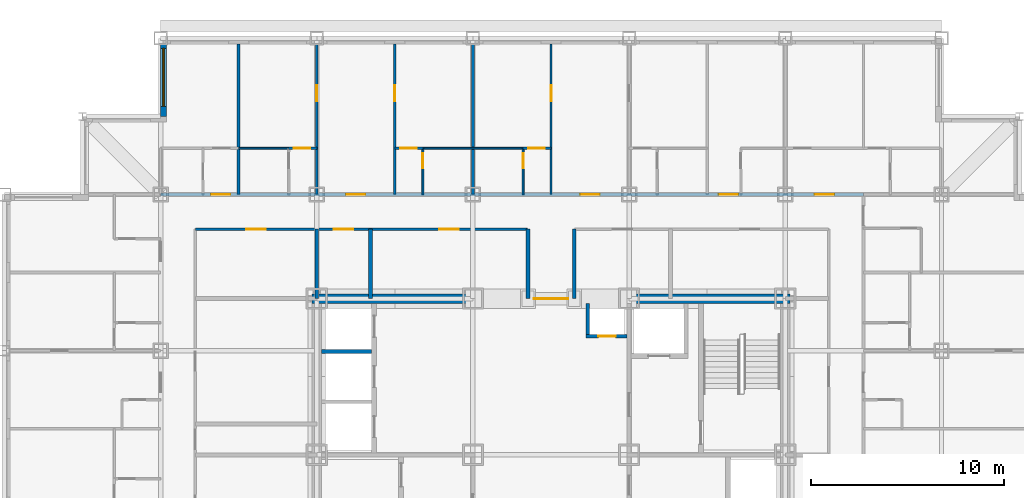
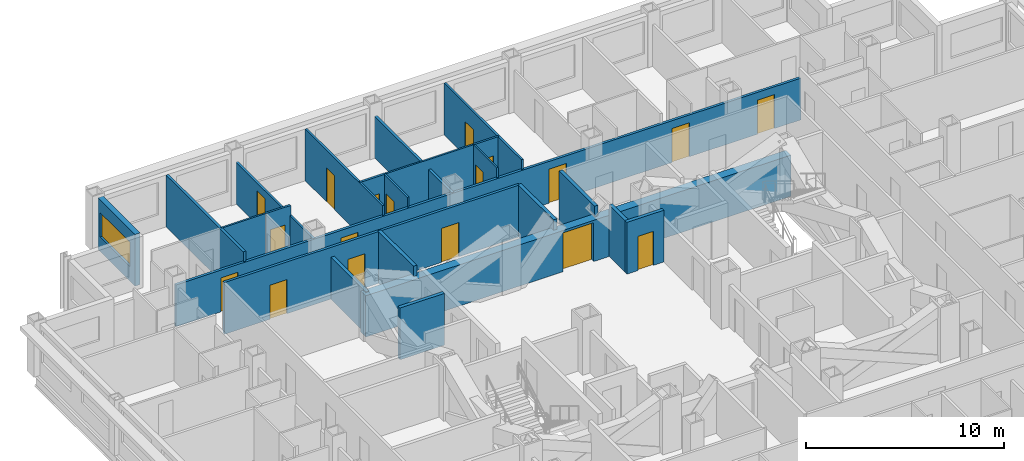
# One storey, part 10 of 14: 23 walls, 18 doors, 1 window, 19 openings.
"""IFC4 building model written with IfcOpenShell, lengths in metres."""

from ifc_helpers import new_model, si_unit, direction, frame, frame_2d, origin, place, context, subcontext, project, spatial, rectangle, extrude, material, layer, layer_set, type_object, element, fill, save


model = new_model("IFC4")

# Units and contexts
model_context = context("Model", 3, precision=1e-05, world=origin(), true_north=direction((0.0, 1.0)))
body_context = subcontext(model_context, "Body", "Model", "MODEL_VIEW")
ifc_project = project(units=[si_unit("LENGTHUNIT", "METRE"), si_unit("AREAUNIT", "SQUARE_METRE"), si_unit("VOLUMEUNIT", "CUBIC_METRE"), si_unit("PLANEANGLEUNIT", "RADIAN"), si_unit("MASSUNIT", "GRAM", prefix="KILO")], contexts=[model_context])

# Site, building, storey
site_placement = place(None, origin())
site = spatial("IfcSite", under=ifc_project, at=site_placement, CompositionType="ELEMENT")
building_placement = place(site_placement, origin())
building = spatial("IfcBuilding", under=site, at=building_placement, Name="Kopane Lantern Tower", CompositionType="ELEMENT")
storey_placement = place(building_placement, frame((0.0, 0.0, 137.39990234375)))
storey = spatial("IfcBuildingStorey", under=building, at=storey_placement, Name="L35", CompositionType="ELEMENT", Elevation=137.39990234375)

# Wall, opening, door
ifc_material_1 = material(Name="Gypsum board on steel studs", Category="steel")
ifc_layer_1 = layer(ifc_material_1, 0.1201171875)
ifc_layer_set_1 = layer_set([ifc_layer_1], Name="APARTMENT INTERNAL WALL 120")
wall_type_1 = type_object("IfcWallType", Name="APARTMENT INTERNAL WALL 120", PredefinedType="PARTITIONING", material=ifc_layer_set_1)
wall_1_placement = place(storey_placement, frame((16.199951171875, 45.89990234375, 0.0), z_axis=(0.0, 0.0, 1.0), x_axis=(0.0, 1.0, 0.0)))
wall_1 = element("IfcWall", 1, at=wall_1_placement, inside=storey, type_object=wall_type_1, Name="Apartment Internal Wall 120 L35", PredefinedType="PARTITIONING", context=body_context, shape_type="SweptSolid", body=[
    extrude(rectangle(XDim=7.800048828125, YDim=0.1201171875, at=frame_2d((3.89990234375, 0.0))), origin(), (0.0, 0.0, 1.0), 2.577880859375),
])
opening_1_placement = place(wall_1_placement, frame((4.824951171875, 0.0, 0.0)))
opening_1 = element("IfcOpeningElement", 2, at=opening_1_placement, cuts=wall_1, Name="Opening L35-033", PredefinedType="OPENING", context=body_context, shape_type="SweptSolid", body=[
    extrude(rectangle(XDim=0.85009765625, YDim=2.10009765625, at=frame_2d((0.425048828125, 1.050048828125))), frame((0.0, 0.070068359375, 0.0), z_axis=(0.0, -1.0, 0.0), x_axis=(1.0, 0.0, 0.0)), (0.0, 0.0, 1.0), 0.14013671875),
])
ifc_material_2 = material(Name="Timber door set", Category="wood")
door_type_1 = type_object("IfcDoorType", Name="DOOR D4 850x2100", OperationType="SINGLE_SWING_LEFT", PredefinedType="DOOR", material=ifc_material_2)
door_1_placement = place(opening_1_placement, origin())
door_1 = element("IfcDoor", 3, at=door_1_placement, inside=storey, type_object=door_type_1, Name="Door L35-033", OperationType="SINGLE_SWING_LEFT", OverallHeight=2.10009765625, OverallWidth=0.85009765625, PredefinedType="DOOR", context=body_context, shape_type="SweptSolid", body=[
    extrude(rectangle(XDim=0.85009765625, YDim=2.10009765625, at=frame_2d((0.425048828125, 1.050048828125))), frame((0.0, 0.02490234375, 0.0), z_axis=(0.0, -1.0, 0.0), x_axis=(1.0, 0.0, 0.0)), (0.0, 0.0, 1.0), 0.050048828125),
])
fill(opening_1, door_1)

wall_2_placement = place(storey_placement, frame((20.25, 45.89990234375, 0.0), z_axis=(0.0, 0.0, 1.0), x_axis=(0.0, 1.0, 0.0)))
wall_2 = element("IfcWall", 4, at=wall_2_placement, inside=storey, type_object=wall_type_1, Name="Apartment Internal Wall 120 L35", PredefinedType="PARTITIONING", context=body_context, shape_type="SweptSolid", body=[
    extrude(rectangle(XDim=7.800048828125, YDim=0.1201171875, at=frame_2d((3.89990234375, 0.0))), origin(), (0.0, 0.0, 1.0), 3.190185546875),
])
opening_2_placement = place(wall_2_placement, frame((4.824951171875, 0.0, 0.0)))
opening_2 = element("IfcOpeningElement", 5, at=opening_2_placement, cuts=wall_2, Name="Opening L35-035", PredefinedType="OPENING", context=body_context, shape_type="SweptSolid", body=[
    extrude(rectangle(XDim=0.85009765625, YDim=2.10009765625, at=frame_2d((0.425048828125, 1.050048828125))), frame((0.0, 0.070068359375, 0.0), z_axis=(0.0, -1.0, 0.0), x_axis=(1.0, 0.0, 0.0)), (0.0, 0.0, 1.0), 0.14013671875),
])
door_2_placement = place(opening_2_placement, origin())
door_2 = element("IfcDoor", 6, at=door_2_placement, inside=storey, type_object=door_type_1, Name="Door L35-035", OperationType="SINGLE_SWING_RIGHT", OverallHeight=2.10009765625, OverallWidth=0.85009765625, PredefinedType="DOOR", context=body_context, shape_type="SweptSolid", body=[
    extrude(rectangle(XDim=0.85009765625, YDim=2.10009765625, at=frame_2d((0.425048828125, 1.050048828125))), frame((0.0, 0.02490234375, 0.0), z_axis=(0.0, -1.0, 0.0), x_axis=(1.0, 0.0, 0.0)), (0.0, 0.0, 1.0), 0.050048828125),
])
fill(opening_2, door_2)

wall_3_placement = place(storey_placement, frame((28.35009765625, 45.89990234375, 0.0), z_axis=(0.0, 0.0, 1.0), x_axis=(0.0, 1.0, 0.0)))
wall_3 = element("IfcWall", 7, at=wall_3_placement, inside=storey, type_object=wall_type_1, Name="Apartment Internal Wall 120 L35", PredefinedType="PARTITIONING", context=body_context, shape_type="SweptSolid", body=[
    extrude(rectangle(XDim=7.800048828125, YDim=0.1201171875, at=frame_2d((3.89990234375, 0.0))), origin(), (0.0, 0.0, 1.0), 3.190185546875),
])
opening_3_placement = place(wall_3_placement, frame((4.824951171875, 0.0, 0.0)))
opening_3 = element("IfcOpeningElement", 8, at=opening_3_placement, cuts=wall_3, Name="Opening L35-038", PredefinedType="OPENING", context=body_context, shape_type="SweptSolid", body=[
    extrude(rectangle(XDim=0.85009765625, YDim=2.10009765625, at=frame_2d((0.425048828125, 1.050048828125))), frame((0.0, 0.070068359375, 0.0), z_axis=(0.0, -1.0, 0.0), x_axis=(1.0, 0.0, 0.0)), (0.0, 0.0, 1.0), 0.14013671875),
])
door_3_placement = place(opening_3_placement, origin())
door_3 = element("IfcDoor", 9, at=door_3_placement, inside=storey, type_object=door_type_1, Name="Door L35-038", OperationType="SINGLE_SWING_LEFT", OverallHeight=2.10009765625, OverallWidth=0.85009765625, PredefinedType="DOOR", context=body_context, shape_type="SweptSolid", body=[
    extrude(rectangle(XDim=0.85009765625, YDim=2.10009765625, at=frame_2d((0.425048828125, 1.050048828125))), frame((0.0, 0.02490234375, 0.0), z_axis=(0.0, -1.0, 0.0), x_axis=(1.0, 0.0, 0.0)), (0.0, 0.0, 1.0), 0.050048828125),
])
fill(opening_3, door_3)

wall_4_placement = place(storey_placement, frame((14.739990234375, 48.300048828125, 0.0), z_axis=(0.0, 0.0, 1.0), x_axis=(1.0, 0.0, 0.0)))
wall_4 = element("IfcWall", 10, at=wall_4_placement, inside=storey, type_object=wall_type_1, Name="Apartment Internal Wall 120 L35", PredefinedType="PARTITIONING", context=body_context, shape_type="SweptSolid", body=[
    extrude(rectangle(XDim=1.4599609375, YDim=0.1201171875, at=frame_2d((0.72998046875, 0.0))), origin(), (0.0, 0.0, 1.0), 3.190185546875),
])
opening_4_placement = place(wall_4_placement, frame((0.27490234375, 0.0, 0.0)))
opening_4 = element("IfcOpeningElement", 11, at=opening_4_placement, cuts=wall_4, Name="Opening L35-090", PredefinedType="OPENING", context=body_context, shape_type="SweptSolid", body=[
    extrude(rectangle(XDim=0.85009765625, YDim=2.10009765625, at=frame_2d((0.425048828125, 1.050048828125))), frame((0.0, 0.070068359375, 0.0), z_axis=(0.0, -1.0, 0.0), x_axis=(1.0, 0.0, 0.0)), (0.0, 0.0, 1.0), 0.14013671875),
])
door_4_placement = place(opening_4_placement, origin())
door_4 = element("IfcDoor", 12, at=door_4_placement, inside=storey, type_object=door_type_1, Name="Door L35-090", OperationType="SINGLE_SWING_RIGHT", OverallHeight=2.10009765625, OverallWidth=0.85009765625, PredefinedType="DOOR", context=body_context, shape_type="SweptSolid", body=[
    extrude(rectangle(XDim=0.85009765625, YDim=2.10009765625, at=frame_2d((0.425048828125, 1.050048828125))), frame((0.0, 0.02490234375, 0.0), z_axis=(0.0, -1.0, 0.0), x_axis=(1.0, 0.0, 0.0)), (0.0, 0.0, 1.0), 0.050048828125),
])
fill(opening_4, door_4)

wall_5_placement = place(storey_placement, frame((20.25, 48.300048828125, 0.0), z_axis=(0.0, 0.0, 1.0), x_axis=(1.0, 0.0, 0.0)))
wall_5 = element("IfcWall", 13, at=wall_5_placement, inside=storey, type_object=wall_type_1, Name="Apartment Internal Wall 120 L35", PredefinedType="PARTITIONING", context=body_context, shape_type="SweptSolid", body=[
    extrude(rectangle(XDim=1.4599609375, YDim=0.1201171875, at=frame_2d((0.72998046875, 0.0))), origin(), (0.0, 0.0, 1.0), 3.190185546875),
])
opening_5_placement = place(wall_5_placement, frame((0.27490234375, 0.0, 0.0)))
opening_5 = element("IfcOpeningElement", 14, at=opening_5_placement, cuts=wall_5, Name="Opening L35-091", PredefinedType="OPENING", context=body_context, shape_type="SweptSolid", body=[
    extrude(rectangle(XDim=0.85009765625, YDim=2.10009765625, at=frame_2d((0.425048828125, 1.050048828125))), frame((0.0, 0.070068359375, 0.0), z_axis=(0.0, -1.0, 0.0), x_axis=(1.0, 0.0, 0.0)), (0.0, 0.0, 1.0), 0.14013671875),
])
door_5_placement = place(opening_5_placement, origin())
door_5 = element("IfcDoor", 15, at=door_5_placement, inside=storey, type_object=door_type_1, Name="Door L35-091", OperationType="SINGLE_SWING_LEFT", OverallHeight=2.10009765625, OverallWidth=0.85009765625, PredefinedType="DOOR", context=body_context, shape_type="SweptSolid", body=[
    extrude(rectangle(XDim=0.85009765625, YDim=2.10009765625, at=frame_2d((0.425048828125, 1.050048828125))), frame((0.0, 0.02490234375, 0.0), z_axis=(0.0, -1.0, 0.0), x_axis=(1.0, 0.0, 0.0)), (0.0, 0.0, 1.0), 0.050048828125),
])
fill(opening_5, door_5)

wall_6_placement = place(storey_placement, frame((26.889892578125, 48.300048828125, 0.0), z_axis=(0.0, 0.0, 1.0), x_axis=(1.0, 0.0, 0.0)))
wall_6 = element("IfcWall", 16, at=wall_6_placement, inside=storey, type_object=wall_type_1, Name="Apartment Internal Wall 120 L35", PredefinedType="PARTITIONING", context=body_context, shape_type="SweptSolid", body=[
    extrude(rectangle(XDim=1.460205078125, YDim=0.1201171875, at=frame_2d((0.72998046875, 0.0))), origin(), (0.0, 0.0, 1.0), 3.190185546875),
])
opening_6_placement = place(wall_6_placement, frame((0.27490234375, 0.0, 0.0)))
opening_6 = element("IfcOpeningElement", 17, at=opening_6_placement, cuts=wall_6, Name="Opening L35-092", PredefinedType="OPENING", context=body_context, shape_type="SweptSolid", body=[
    extrude(rectangle(XDim=0.85009765625, YDim=2.10009765625, at=frame_2d((0.425048828125, 1.050048828125))), frame((0.0, 0.070068359375, 0.0), z_axis=(0.0, -1.0, 0.0), x_axis=(1.0, 0.0, 0.0)), (0.0, 0.0, 1.0), 0.14013671875),
])
door_6_placement = place(opening_6_placement, origin())
door_6 = element("IfcDoor", 18, at=door_6_placement, inside=storey, type_object=door_type_1, Name="Door L35-092", OperationType="SINGLE_SWING_RIGHT", OverallHeight=2.10009765625, OverallWidth=0.85009765625, PredefinedType="DOOR", context=body_context, shape_type="SweptSolid", body=[
    extrude(rectangle(XDim=0.85009765625, YDim=2.10009765625, at=frame_2d((0.425048828125, 1.050048828125))), frame((0.0, 0.02490234375, 0.0), z_axis=(0.0, -1.0, 0.0), x_axis=(1.0, 0.0, 0.0)), (0.0, 0.0, 1.0), 0.050048828125),
])
fill(opening_6, door_6)

# Walls
ifc_material_3 = material(Name="Moisture-resistant board on steel studs", Category="steel")
ifc_layer_2 = layer(ifc_material_3, 0.10009765625)
ifc_layer_set_2 = layer_set([ifc_layer_2], Name="BATHROOM WALL 100")
wall_type_2 = type_object("IfcWallType", Name="BATHROOM WALL 100", PredefinedType="PARTITIONING", material=ifc_layer_set_2)
wall_7_placement = place(storey_placement, frame((12.14990234375, 48.300048828125, 0.0), z_axis=(0.0, 0.0, 1.0), x_axis=(1.0, 0.0, 0.0)))
element("IfcWall", 19, at=wall_7_placement, inside=storey, type_object=wall_type_2, Name="Bathroom Wall 100 L35", PredefinedType="PARTITIONING", context=body_context, shape_type="SweptSolid", body=[
    extrude(rectangle(XDim=2.60009765625, YDim=0.10009765625, at=frame_2d((1.300048828125, 0.0))), origin(), (0.0, 0.0, 1.0), 3.190185546875),
])
wall_8_placement = place(storey_placement, frame((21.699951171875, 48.300048828125, 0.0), z_axis=(0.0, 0.0, 1.0), x_axis=(1.0, 0.0, 0.0)))
element("IfcWall", 20, at=wall_8_placement, inside=storey, type_object=wall_type_2, Name="Bathroom Wall 100 L35", PredefinedType="PARTITIONING", context=body_context, shape_type="SweptSolid", body=[
    extrude(rectangle(XDim=5.199951171875, YDim=0.10009765625, at=frame_2d((2.60009765625, 0.0))), origin(), (0.0, 0.0, 1.0), 3.190185546875),
])

# Wall, opening, door
wall_9_placement = place(storey_placement, frame((21.699951171875, 45.89990234375, 0.0), z_axis=(0.0, 0.0, 1.0), x_axis=(0.0, 1.0, 0.0)))
wall_9 = element("IfcWall", 21, at=wall_9_placement, inside=storey, type_object=wall_type_2, Name="Bathroom Wall 100 L35", PredefinedType="PARTITIONING", context=body_context, shape_type="SweptSolid", body=[
    extrude(rectangle(XDim=2.400146484375, YDim=0.10009765625, at=frame_2d((1.2001953125, 0.0))), origin(), (0.0, 0.0, 1.0), 3.190185546875),
])
opening_7_placement = place(wall_9_placement, frame((1.35009765625, 0.0, 0.0)))
opening_7 = element("IfcOpeningElement", 22, at=opening_7_placement, cuts=wall_9, Name="Opening L35-034", PredefinedType="OPENING", context=body_context, shape_type="SweptSolid", body=[
    extrude(rectangle(XDim=0.800048828125, YDim=2.10009765625, at=frame_2d((0.39990234375, 1.050048828125))), frame((0.0, 0.06005859375, 0.0), z_axis=(0.0, -1.0, 0.0), x_axis=(1.0, 0.0, 0.0)), (0.0, 0.0, 1.0), 0.1201171875),
])
ifc_material_4 = material(Name="Timber door set", Category="wood")
door_type_2 = type_object("IfcDoorType", Name="DOOR D2 800x2100", OperationType="SINGLE_SWING_LEFT", PredefinedType="DOOR", material=ifc_material_4)
door_7_placement = place(opening_7_placement, origin())
door_7 = element("IfcDoor", 23, at=door_7_placement, inside=storey, type_object=door_type_2, Name="Door L35-034", OperationType="SINGLE_SWING_RIGHT", OverallHeight=2.10009765625, OverallWidth=0.800048828125, PredefinedType="DOOR", context=body_context, shape_type="SweptSolid", body=[
    extrude(rectangle(XDim=0.800048828125, YDim=2.10009765625, at=frame_2d((0.39990234375, 1.050048828125))), frame((0.0, 0.02490234375, 0.0), z_axis=(0.0, -1.0, 0.0), x_axis=(1.0, 0.0, 0.0)), (0.0, 0.0, 1.0), 0.050048828125),
])
fill(opening_7, door_7)

wall_10_placement = place(storey_placement, frame((26.89990234375, 45.89990234375, 0.0), z_axis=(0.0, 0.0, 1.0), x_axis=(0.0, 1.0, 0.0)))
wall_10 = element("IfcWall", 24, at=wall_10_placement, inside=storey, type_object=wall_type_2, Name="Bathroom Wall 100 L35", PredefinedType="PARTITIONING", context=body_context, shape_type="SweptSolid", body=[
    extrude(rectangle(XDim=2.400146484375, YDim=0.10009765625, at=frame_2d((1.2001953125, 0.0))), origin(), (0.0, 0.0, 1.0), 3.190185546875),
])
opening_8_placement = place(wall_10_placement, frame((1.35009765625, 0.0, 0.0)))
opening_8 = element("IfcOpeningElement", 25, at=opening_8_placement, cuts=wall_10, Name="Opening L35-037", PredefinedType="OPENING", context=body_context, shape_type="SweptSolid", body=[
    extrude(rectangle(XDim=0.800048828125, YDim=2.10009765625, at=frame_2d((0.39990234375, 1.050048828125))), frame((0.0, 0.06005859375, 0.0), z_axis=(0.0, -1.0, 0.0), x_axis=(1.0, 0.0, 0.0)), (0.0, 0.0, 1.0), 0.1201171875),
])
door_8_placement = place(opening_8_placement, origin())
door_8 = element("IfcDoor", 26, at=door_8_placement, inside=storey, type_object=door_type_2, Name="Door L35-037", OperationType="SINGLE_SWING_LEFT", OverallHeight=2.10009765625, OverallWidth=0.800048828125, PredefinedType="DOOR", context=body_context, shape_type="SweptSolid", body=[
    extrude(rectangle(XDim=0.800048828125, YDim=2.10009765625, at=frame_2d((0.39990234375, 1.050048828125))), frame((0.0, 0.02490234375, 0.0), z_axis=(0.0, -1.0, 0.0), x_axis=(1.0, 0.0, 0.0)), (0.0, 0.0, 1.0), 0.050048828125),
])
fill(opening_8, door_8)

ifc_material_5 = material(Name="Gypsum shaft wall EI 120", Category="gypsum")
ifc_layer_3 = layer(ifc_material_5, 0.5)
ifc_layer_set_3 = layer_set([ifc_layer_3], Name="CORE PERIMETER WALL 500 EI 120")
wall_type_3 = type_object("IfcWallType", Name="CORE PERIMETER WALL 500 EI 120", PredefinedType="SOLIDWALL", material=ifc_layer_set_3)
wall_11_placement = place(storey_placement, frame((15.949951171875, 40.5, 0.0), z_axis=(0.0, 0.0, 1.0), x_axis=(1.0, 0.0, 0.0)))
wall_11 = element("IfcWall", 27, at=wall_11_placement, inside=storey, type_object=wall_type_3, Name="Core shaft wall L35 PN", PredefinedType="SOLIDWALL", context=body_context, shape_type="SweptSolid", body=[
    extrude(rectangle(XDim=24.800048828125, YDim=0.5, at=frame_2d((12.39990234375, 0.0))), origin(), (0.0, 0.0, 1.0), 2.5400390625),
])
opening_9_placement = place(wall_11_placement, frame((11.5, 0.0, 0.0)))
opening_9 = element("IfcOpeningElement", 28, at=opening_9_placement, cuts=wall_11, Name="Opening 35.CE-N", PredefinedType="OPENING", context=body_context, shape_type="SweptSolid", body=[
    extrude(rectangle(XDim=1.800048828125, YDim=2.39990234375, at=frame_2d((0.89990234375, 1.199951171875))), frame((0.0, 0.260009765625, 0.0), z_axis=(0.0, -1.0, 0.0), x_axis=(1.0, 0.0, 0.0)), (0.0, 0.0, 1.0), 0.52001953125),
])
ifc_material_6 = material(Name="Steel door set", Category="steel")
door_type_3 = type_object("IfcDoorType", Name="CORE ENTRY DOOR 1800x2400 FD60S", OperationType="DOUBLE_DOOR_SINGLE_SWING", PredefinedType="DOOR", material=ifc_material_6)
door_9_placement = place(opening_9_placement, origin())
door_9 = element("IfcDoor", 29, at=door_9_placement, inside=storey, type_object=door_type_3, Name="Core entry door L35 north", OperationType="DOUBLE_DOOR_SINGLE_SWING", OverallHeight=2.39990234375, OverallWidth=1.800048828125, PredefinedType="DOOR", context=body_context, shape_type="SweptSolid", body=[
    extrude(rectangle(XDim=1.800048828125, YDim=2.39990234375, at=frame_2d((0.89990234375, 1.199951171875))), frame((0.0, 0.02490234375, 0.0), z_axis=(0.0, -1.0, 0.0), x_axis=(1.0, 0.0, 0.0)), (0.0, 0.0, 1.0), 0.050048828125),
])
fill(opening_9, door_9)

# Wall, openings, doors
ifc_material_7 = material(Name="Gypsum board on steel studs", Category="steel")
ifc_layer_4 = layer(ifc_material_7, 0.14990234375)
ifc_layer_set_4 = layer_set([ifc_layer_4], Name="CORRIDOR WALL 150 EI 60")
wall_type_4 = type_object("IfcWallType", Name="CORRIDOR WALL 150 EI 60", PredefinedType="PARTITIONING", material=ifc_layer_set_4)
wall_12_placement = place(storey_placement, frame((8.10009765625, 45.89990234375, 0.0), z_axis=(0.0, 0.0, 1.0), x_axis=(1.0, 0.0, 0.0)))
wall_12 = element("IfcWall", 30, at=wall_12_placement, inside=storey, type_object=wall_type_4, Name="Corridor Wall 150 Ei 60 L35", PredefinedType="PARTITIONING", context=body_context, shape_type="SweptSolid", body=[
    extrude(rectangle(XDim=36.449951171875, YDim=0.14990234375, at=frame_2d((18.22509765625, 0.0))), origin(), (0.0, 0.0, 1.0), 2.577880859375),
])
opening_10_placement = place(wall_12_placement, frame((9.625, 0.0, 0.0)))
opening_10 = element("IfcOpeningElement", 31, at=opening_10_placement, cuts=wall_12, Name="Opening L35-031", PredefinedType="OPENING", context=body_context, shape_type="SweptSolid", body=[
    extrude(rectangle(XDim=1.0, YDim=2.10009765625, at=frame_2d((0.5, 1.050048828125))), frame((0.0, 0.0849609375, 0.0), z_axis=(0.0, -1.0, 0.0), x_axis=(1.0, 0.0, 0.0)), (0.0, 0.0, 1.0), 0.169921875),
])
opening_11_placement = place(wall_12_placement, frame((21.77490234375, 0.0, 0.0)))
opening_11 = element("IfcOpeningElement", 32, at=opening_11_placement, cuts=wall_12, Name="Opening L35-036", PredefinedType="OPENING", context=body_context, shape_type="SweptSolid", body=[
    extrude(rectangle(XDim=1.0, YDim=2.10009765625, at=frame_2d((0.5, 1.050048828125))), frame((0.0, 0.0849609375, 0.0), z_axis=(0.0, -1.0, 0.0), x_axis=(1.0, 0.0, 0.0)), (0.0, 0.0, 1.0), 0.169921875),
])
opening_12_placement = place(wall_12_placement, frame((28.949951171875, 0.0, 0.0)))
opening_12 = element("IfcOpeningElement", 33, at=opening_12_placement, cuts=wall_12, Name="Opening L35-042", PredefinedType="OPENING", context=body_context, shape_type="SweptSolid", body=[
    extrude(rectangle(XDim=1.0, YDim=2.10009765625, at=frame_2d((0.5, 1.050048828125))), frame((0.0, 0.0849609375, 0.0), z_axis=(0.0, -1.0, 0.0), x_axis=(1.0, 0.0, 0.0)), (0.0, 0.0, 1.0), 0.169921875),
])
opening_13_placement = place(wall_12_placement, frame((33.925048828125, 0.0, 0.0)))
opening_13 = element("IfcOpeningElement", 34, at=opening_13_placement, cuts=wall_12, Name="Opening L35-080", PredefinedType="OPENING", context=body_context, shape_type="SweptSolid", body=[
    extrude(rectangle(XDim=1.0, YDim=2.10009765625, at=frame_2d((0.5, 1.050048828125))), frame((0.0, 0.0849609375, 0.0), z_axis=(0.0, -1.0, 0.0), x_axis=(1.0, 0.0, 0.0)), (0.0, 0.0, 1.0), 0.169921875),
])
opening_14_placement = place(wall_12_placement, frame((2.625, 0.0, 0.0)))
opening_14 = element("IfcOpeningElement", 35, at=opening_14_placement, cuts=wall_12, Name="Opening L35-085", PredefinedType="OPENING", context=body_context, shape_type="SweptSolid", body=[
    extrude(rectangle(XDim=1.0, YDim=2.10009765625, at=frame_2d((0.5, 1.050048828125))), frame((0.0, 0.0849609375, 0.0), z_axis=(0.0, -1.0, 0.0), x_axis=(1.0, 0.0, 0.0)), (0.0, 0.0, 1.0), 0.169921875),
])
ifc_material_8 = material(Name="Steel door set", Category="steel")
door_type_4 = type_object("IfcDoorType", Name="DOOR D1 1000x2100 FD30S", OperationType="SINGLE_SWING_LEFT", PredefinedType="DOOR", material=ifc_material_8)
door_10_placement = place(opening_10_placement, origin())
door_10 = element("IfcDoor", 36, at=door_10_placement, inside=storey, type_object=door_type_4, Name="Door L35-031", OperationType="SINGLE_SWING_RIGHT", OverallHeight=2.10009765625, OverallWidth=1.0, PredefinedType="DOOR", context=body_context, shape_type="SweptSolid", body=[
    extrude(rectangle(XDim=1.0, YDim=2.10009765625, at=frame_2d((0.5, 1.050048828125))), frame((0.0, 0.02490234375, 0.0), z_axis=(0.0, -1.0, 0.0), x_axis=(1.0, 0.0, 0.0)), (0.0, 0.0, 1.0), 0.050048828125),
])
fill(opening_10, door_10)
door_11_placement = place(opening_11_placement, origin())
door_11 = element("IfcDoor", 37, at=door_11_placement, inside=storey, type_object=door_type_4, Name="Door L35-036", OperationType="SINGLE_SWING_LEFT", OverallHeight=2.10009765625, OverallWidth=1.0, PredefinedType="DOOR", context=body_context, shape_type="SweptSolid", body=[
    extrude(rectangle(XDim=1.0, YDim=2.10009765625, at=frame_2d((0.5, 1.050048828125))), frame((0.0, 0.02490234375, 0.0), z_axis=(0.0, -1.0, 0.0), x_axis=(1.0, 0.0, 0.0)), (0.0, 0.0, 1.0), 0.050048828125),
])
fill(opening_11, door_11)
door_12_placement = place(opening_12_placement, origin())
door_12 = element("IfcDoor", 38, at=door_12_placement, inside=storey, type_object=door_type_4, Name="Door L35-042", OperationType="SINGLE_SWING_RIGHT", OverallHeight=2.10009765625, OverallWidth=1.0, PredefinedType="DOOR", context=body_context, shape_type="SweptSolid", body=[
    extrude(rectangle(XDim=1.0, YDim=2.10009765625, at=frame_2d((0.5, 1.050048828125))), frame((0.0, 0.02490234375, 0.0), z_axis=(0.0, -1.0, 0.0), x_axis=(1.0, 0.0, 0.0)), (0.0, 0.0, 1.0), 0.050048828125),
])
fill(opening_12, door_12)
door_13_placement = place(opening_13_placement, origin())
door_13 = element("IfcDoor", 39, at=door_13_placement, inside=storey, type_object=door_type_4, Name="Door L35-080", OperationType="SINGLE_SWING_LEFT", OverallHeight=2.10009765625, OverallWidth=1.0, PredefinedType="DOOR", context=body_context, shape_type="SweptSolid", body=[
    extrude(rectangle(XDim=1.0, YDim=2.10009765625, at=frame_2d((0.5, 1.050048828125))), frame((0.0, 0.02490234375, 0.0), z_axis=(0.0, -1.0, 0.0), x_axis=(1.0, 0.0, 0.0)), (0.0, 0.0, 1.0), 0.050048828125),
])
fill(opening_13, door_13)
door_14_placement = place(opening_14_placement, origin())
door_14 = element("IfcDoor", 40, at=door_14_placement, inside=storey, type_object=door_type_4, Name="Door L35-085", OperationType="SINGLE_SWING_LEFT", OverallHeight=2.10009765625, OverallWidth=1.0, PredefinedType="DOOR", context=body_context, shape_type="SweptSolid", body=[
    extrude(rectangle(XDim=1.0, YDim=2.10009765625, at=frame_2d((0.5, 1.050048828125))), frame((0.0, 0.02490234375, 0.0), z_axis=(0.0, -1.0, 0.0), x_axis=(1.0, 0.0, 0.0)), (0.0, 0.0, 1.0), 0.050048828125),
])
fill(opening_14, door_14)

wall_13_placement = place(storey_placement, frame((27.139892578125, 44.10009765625, 0.0), z_axis=(0.0, 0.0, 1.0), x_axis=(-1.0, 0.0, 0.0)))
wall_13 = element("IfcWall", 41, at=wall_13_placement, inside=storey, type_object=wall_type_4, Name="Corridor Wall 150 Ei 60 L35", PredefinedType="PARTITIONING", context=body_context, shape_type="SweptSolid", body=[
    extrude(rectangle(XDim=17.239990234375, YDim=0.14990234375, at=frame_2d((8.6201171875, 0.0))), origin(), (0.0, 0.0, 1.0), 3.190185546875),
])
opening_15_placement = place(wall_13_placement, frame((13.590087890625, 0.0, 0.0)))
opening_15 = element("IfcOpeningElement", 42, at=opening_15_placement, cuts=wall_13, Name="Opening L35-013", PredefinedType="OPENING", context=body_context, shape_type="SweptSolid", body=[
    extrude(rectangle(XDim=1.0, YDim=2.10009765625, at=frame_2d((0.5, 1.050048828125))), frame((0.0, 0.0849609375, 0.0), z_axis=(0.0, -1.0, 0.0), x_axis=(1.0, 0.0, 0.0)), (0.0, 0.0, 1.0), 0.169921875),
])
opening_16_placement = place(wall_13_placement, frame((9.051025390625, 0.0, 0.0)))
opening_16 = element("IfcOpeningElement", 43, at=opening_16_placement, cuts=wall_13, Name="Opening L35-014", PredefinedType="OPENING", context=body_context, shape_type="SweptSolid", body=[
    extrude(rectangle(XDim=1.0, YDim=2.10009765625, at=frame_2d((0.5, 1.050048828125))), frame((0.0, 0.0849609375, 0.0), z_axis=(0.0, -1.0, 0.0), x_axis=(1.0, 0.0, 0.0)), (0.0, 0.0, 1.0), 0.169921875),
])
opening_17_placement = place(wall_13_placement, frame((3.576171875, 0.0, 0.0)))
opening_17 = element("IfcOpeningElement", 44, at=opening_17_placement, cuts=wall_13, Name="Opening L35-015", PredefinedType="OPENING", context=body_context, shape_type="SweptSolid", body=[
    extrude(rectangle(XDim=1.0, YDim=2.10009765625, at=frame_2d((0.5, 1.050048828125))), frame((0.0, 0.0849609375, 0.0), z_axis=(0.0, -1.0, 0.0), x_axis=(1.0, 0.0, 0.0)), (0.0, 0.0, 1.0), 0.169921875),
])
ifc_material_9 = material(Name="Steel door set", Category="steel")
door_type_5 = type_object("IfcDoorType", Name="DOOR D5 1000x2100 FD60", OperationType="SINGLE_SWING_LEFT", PredefinedType="DOOR", material=ifc_material_9)
door_15_placement = place(opening_15_placement, origin())
door_15 = element("IfcDoor", 45, at=door_15_placement, inside=storey, type_object=door_type_5, Name="Door L35-013", OperationType="SINGLE_SWING_LEFT", OverallHeight=2.10009765625, OverallWidth=1.0, PredefinedType="DOOR", context=body_context, shape_type="SweptSolid", body=[
    extrude(rectangle(XDim=1.0, YDim=2.10009765625, at=frame_2d((0.5, 1.050048828125))), frame((0.0, 0.02490234375, 0.0), z_axis=(0.0, -1.0, 0.0), x_axis=(1.0, 0.0, 0.0)), (0.0, 0.0, 1.0), 0.050048828125),
])
fill(opening_15, door_15)
door_16_placement = place(opening_16_placement, origin())
door_16 = element("IfcDoor", 46, at=door_16_placement, inside=storey, type_object=door_type_5, Name="Door L35-014", OperationType="SINGLE_SWING_RIGHT", OverallHeight=2.10009765625, OverallWidth=1.0, PredefinedType="DOOR", context=body_context, shape_type="SweptSolid", body=[
    extrude(rectangle(XDim=1.0, YDim=2.10009765625, at=frame_2d((0.5, 1.050048828125))), frame((0.0, 0.02490234375, 0.0), z_axis=(0.0, -1.0, 0.0), x_axis=(1.0, 0.0, 0.0)), (0.0, 0.0, 1.0), 0.050048828125),
])
fill(opening_16, door_16)
door_17_placement = place(opening_17_placement, origin())
door_17 = element("IfcDoor", 47, at=door_17_placement, inside=storey, type_object=door_type_5, Name="Door L35-015", OperationType="SINGLE_SWING_LEFT", OverallHeight=2.10009765625, OverallWidth=1.0, PredefinedType="DOOR", context=body_context, shape_type="SweptSolid", body=[
    extrude(rectangle(XDim=1.0, YDim=2.10009765625, at=frame_2d((0.5, 1.050048828125))), frame((0.0, 0.02490234375, 0.0), z_axis=(0.0, -1.0, 0.0), x_axis=(1.0, 0.0, 0.0)), (0.0, 0.0, 1.0), 0.050048828125),
])
fill(opening_17, door_17)

# Walls
ifc_material_10 = material(Name="Gypsum board on steel studs", Category="steel")
ifc_layer_5 = layer(ifc_material_10, 0.14990234375)
ifc_layer_set_5 = layer_set([ifc_layer_5], Name="DEMISING WALL 150 EI 60")
wall_type_5 = type_object("IfcWallType", Name="DEMISING WALL 150 EI 60", PredefinedType="PARTITIONING", material=ifc_layer_set_5)
wall_14_placement = place(storey_placement, frame((24.300048828125, 45.89990234375, 0.0), z_axis=(0.0, 0.0, 1.0), x_axis=(0.0, 1.0, 0.0)))
element("IfcWall", 48, at=wall_14_placement, inside=storey, type_object=wall_type_5, Name="Demising Wall 150 Ei 60 L35", PredefinedType="PARTITIONING", context=body_context, shape_type="SweptSolid", body=[
    extrude(rectangle(XDim=7.800048828125, YDim=0.14990234375, at=frame_2d((3.89990234375, 0.0))), origin(), (0.0, 0.0, 1.0), 2.577880859375),
])
wall_15_placement = place(storey_placement, frame((12.14990234375, 45.89990234375, 0.0), z_axis=(0.0, 0.0, 1.0), x_axis=(0.0, 1.0, 0.0)))
element("IfcWall", 49, at=wall_15_placement, inside=storey, type_object=wall_type_5, Name="Demising Wall 150 Ei 60 L35", PredefinedType="PARTITIONING", context=body_context, shape_type="SweptSolid", body=[
    extrude(rectangle(XDim=7.800048828125, YDim=0.14990234375, at=frame_2d((3.89990234375, 0.0))), origin(), (0.0, 0.0, 1.0), 3.190185546875),
])

# Wall, opening, window
ifc_material_11 = material(Name="Terracotta rainscreen on light steel framing", Category="masonry")
ifc_layer_6 = layer(ifc_material_11, 0.300048828125)
ifc_layer_set_6 = layer_set([ifc_layer_6], Name="EXTERNAL WALL EW1 300 TERRACOTTA")
wall_type_6 = type_object("IfcWallType", Name="EXTERNAL WALL EW1 300 TERRACOTTA", PredefinedType="SOLIDWALL", material=ifc_layer_set_6)
wall_16_placement = place(storey_placement, frame((8.25, 53.699951171875, 0.0), z_axis=(0.0, 0.0, 1.0), x_axis=(0.0, -1.0, 0.0)))
wall_16 = element("IfcWall", 50, at=wall_16_placement, inside=storey, type_object=wall_type_6, Name="External wall W L35", PredefinedType="SOLIDWALL", context=body_context, shape_type="SweptSolid", body=[
    extrude(rectangle(XDim=3.75, YDim=0.300048828125, at=frame_2d((1.875, 0.0))), origin(), (0.0, 0.0, 1.0), 3.190185546875),
])
opening_18_placement = place(wall_16_placement, frame((0.22509765625, 0.0, 0.89990234375)))
opening_18 = element("IfcOpeningElement", 51, at=opening_18_placement, cuts=wall_16, Name="Opening WR300150", PredefinedType="OPENING", context=body_context, shape_type="SweptSolid", body=[
    extrude(rectangle(XDim=3.0, YDim=1.5, at=frame_2d((1.5, 0.75))), frame((0.0, 0.159912109375, 0.0), z_axis=(0.0, -1.0, 0.0), x_axis=(1.0, 0.0, 0.0)), (0.0, 0.0, 1.0), 0.320068359375),
])
ifc_material_12 = material(Name="Aluminium and clear glass", Category="aluminium")
window_type = type_object("IfcWindowType", Name="RIBBON WINDOW WR300150 3000x1500", PartitioningType="SINGLE_PANEL", PredefinedType="WINDOW", material=ifc_material_12)
window_placement = place(opening_18_placement, origin())
window = element("IfcWindow", 52, at=window_placement, inside=storey, type_object=window_type, Name="Window W L35", OverallHeight=1.5, OverallWidth=3.0, PartitioningType="SINGLE_PANEL", PredefinedType="WINDOW", context=body_context, shape_type="SweptSolid", body=[
    extrude(rectangle(XDim=3.0, YDim=1.5, at=frame_2d((1.5, 0.75))), frame((0.0, 0.030029296875, 0.0), z_axis=(0.0, -1.0, 0.0), x_axis=(1.0, 0.0, 0.0)), (0.0, 0.0, 1.0), 0.06005859375),
])
fill(opening_18, window)

# Walls
ifc_material_13 = material(Name="Concrete masonry", Category="masonry")
ifc_layer_7 = layer(ifc_material_13, 0.199951171875)
ifc_layer_set_7 = layer_set([ifc_layer_7], Name="PLANT ROOM WALL 200 EI 120")
wall_type_7 = type_object("IfcWallType", Name="PLANT ROOM WALL 200 EI 120", PredefinedType="SOLIDWALL", material=ifc_layer_set_7)
wall_17_placement = place(storey_placement, frame((16.199951171875, 40.5, 0.0), z_axis=(0.0, 0.0, 1.0), x_axis=(0.0, 1.0, 0.0)))
element("IfcWall", 53, at=wall_17_placement, inside=storey, type_object=wall_type_7, Name="Plant Room Wall 200 Ei 120 L35", PredefinedType="SOLIDWALL", context=body_context, shape_type="SweptSolid", body=[
    extrude(rectangle(XDim=3.60009765625, YDim=0.199951171875, at=frame_2d((1.800048828125, 0.0))), origin(), (0.0, 0.0, 1.0), 2.577880859375),
])
for number, where, z_axis, x_axis, name in (
    (54, (18.977783203125, 44.10009765625, 0.0), (0.0, 0.0, 1.0), (0.0, -1.0, 0.0), "Plant Room Wall 200 Ei 120 L35"),
    (55, (27.14990234375, 40.5, 0.0), (0.0, 0.0, 1.0), (0.0, 1.0, 0.0), "Plant Room Wall 200 Ei 120 L35"),
    (56, (29.550048828125, 40.5, 0.0), (0.0, 0.0, 1.0), (0.0, 1.0, 0.0), "Plant Room Wall 200 Ei 120 L35"),
):
    element("IfcWall", number, at=place(storey_placement, frame(where, z_axis=z_axis, x_axis=x_axis)), inside=storey, type_object=wall_type_7, Name=name, PredefinedType="SOLIDWALL", context=body_context, shape_type="SweptSolid", body=[
        extrude(rectangle(XDim=3.60009765625, YDim=0.199951171875, at=frame_2d((1.800048828125, 0.0))), origin(), (0.0, 0.0, 1.0), 3.190185546875),
    ])
ifc_material_14 = material(Name="Gypsum shaft wall EI 120", Category="gypsum")
ifc_layer_8 = layer(ifc_material_14, 0.199951171875)
ifc_layer_set_8 = layer_set([ifc_layer_8], Name="SHAFT WALL 200 EI 120")
wall_type_8 = type_object("IfcWallType", Name="SHAFT WALL 200 EI 120", PredefinedType="SOLIDWALL", material=ifc_layer_set_8)
wall_18_placement = place(storey_placement, frame((16.449951171875, 37.75, 0.0), z_axis=(0.0, 0.0, 1.0), x_axis=(1.0, 0.0, 0.0)))
element("IfcWall", 57, at=wall_18_placement, inside=storey, type_object=wall_type_8, Name="Core shaft wall L35 YLH23", PredefinedType="SOLIDWALL", context=body_context, shape_type="SweptSolid", body=[
    extrude(rectangle(XDim=2.60009765625, YDim=0.199951171875, at=frame_2d((1.300048828125, 0.0))), origin(), (0.0, 0.0, 1.0), 3.190185546875),
])
wall_19_placement = place(storey_placement, frame((30.25, 38.64990234375, 0.0), z_axis=(0.0, 0.0, 1.0), x_axis=(0.0, 1.0, 0.0)))
element("IfcWall", 58, at=wall_19_placement, inside=storey, type_object=wall_type_8, Name="Core shaft wall L35 XRS2", PredefinedType="SOLIDWALL", context=body_context, shape_type="SweptSolid", body=[
    extrude(rectangle(XDim=1.60009765625, YDim=0.199951171875, at=frame_2d((0.800048828125, 0.0))), origin(), (0.0, 0.0, 1.0), 3.190185546875),
])

# Wall, opening, door
wall_20_placement = place(storey_placement, frame((30.14990234375, 38.550048828125, 0.0), z_axis=(0.0, 0.0, 1.0), x_axis=(1.0, 0.0, 0.0)))
wall_20 = element("IfcWall", 59, at=wall_20_placement, inside=storey, type_object=wall_type_8, Name="Core shaft wall L35 YRS2", PredefinedType="SOLIDWALL", context=body_context, shape_type="SweptSolid", body=[
    extrude(rectangle(XDim=2.150146484375, YDim=0.199951171875, at=frame_2d((1.0751953125, 0.0))), origin(), (0.0, 0.0, 1.0), 3.190185546875),
])
opening_19_placement = place(wall_20_placement, frame((0.64990234375, 0.0, 0.0)))
opening_19 = element("IfcOpeningElement", 60, at=opening_19_placement, cuts=wall_20, Name="Opening 35.RS2", PredefinedType="OPENING", context=body_context, shape_type="SweptSolid", body=[
    extrude(rectangle(XDim=0.89990234375, YDim=2.10009765625, at=frame_2d((0.449951171875, 1.050048828125))), frame((0.0, 0.10986328125, 0.0), z_axis=(0.0, -1.0, 0.0), x_axis=(1.0, 0.0, 0.0)), (0.0, 0.0, 1.0), 0.219970703125),
])
ifc_material_15 = material(Name="Steel door set", Category="steel")
door_type_6 = type_object("IfcDoorType", Name="RISER ACCESS DOOR 900x2100 FD60", OperationType="SINGLE_SWING_LEFT", PredefinedType="DOOR", material=ifc_material_15)
door_18_placement = place(opening_19_placement, origin())
door_18 = element("IfcDoor", 61, at=door_18_placement, inside=storey, type_object=door_type_6, Name="Riser access door RS2 L35", OperationType="SINGLE_SWING_LEFT", OverallHeight=2.10009765625, OverallWidth=0.89990234375, PredefinedType="DOOR", context=body_context, shape_type="SweptSolid", body=[
    extrude(rectangle(XDim=0.89990234375, YDim=2.10009765625, at=frame_2d((0.449951171875, 1.050048828125))), frame((0.0, 0.02490234375, 0.0), z_axis=(0.0, -1.0, 0.0), x_axis=(1.0, 0.0, 0.0)), (0.0, 0.0, 1.0), 0.050048828125),
])
fill(opening_19, door_18)

save(model, "model.ifc")
